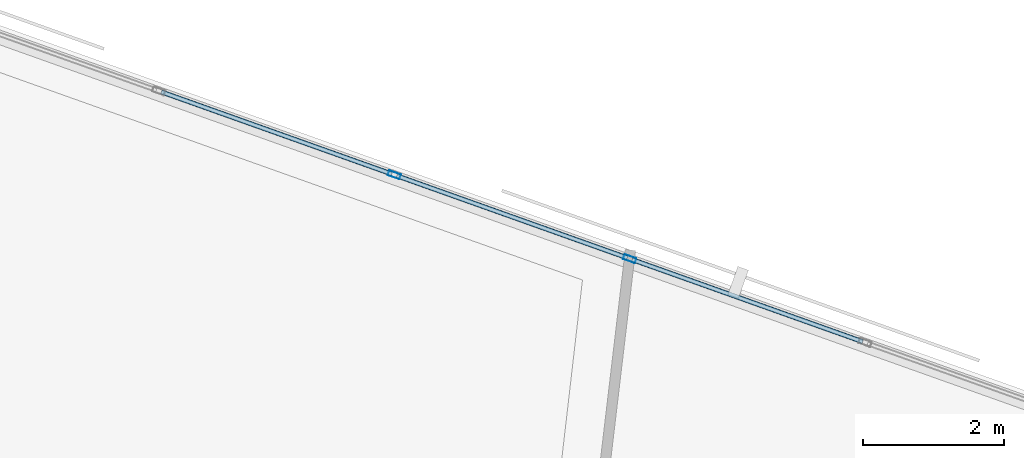
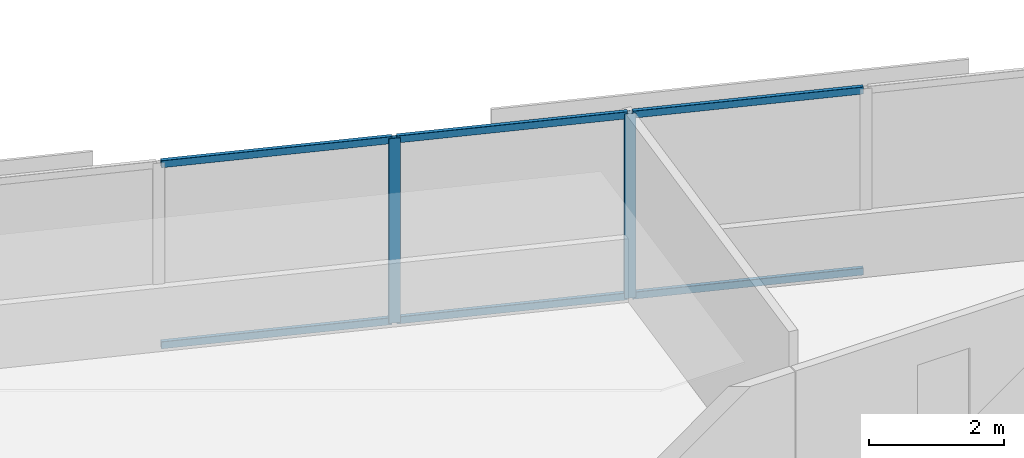
# One storey, part 8 of 16: 8 members, 1 element without a shape of its own.
"""IFC4 building model written with IfcOpenShell, lengths in metres."""

import ifcopenshell
import ifcopenshell.guid

model = None  # the IFC model being written
_history = None  # IfcOwnerHistory: only IFC2X3 demands one
_inside = {}  # id of a spatial element -> (the spatial element, [elements in it])
_under = {}  # id of a project, library or spatial element -> (it, [spatial elements below it])
_declared = {}  # id of a project -> (the project, [libraries it declares])
_typed = {}  # id of a type object -> (the type object, [elements of that type])
_made_of = {}  # id of a material, layer set ... -> (it, [elements and type objects made of it])


def new_model(schema):
    """Start an empty IFC model of exactly this schema.

    Asked for "IFC4X3", IfcOpenShell would pick the latest addendum, in which some entities
    have other attributes; the version numbers below select the first issue.
    IFC2X3 requires an IfcOwnerHistory on every rooted entity: one is made here for all.
    """
    global model, _history
    if schema == "IFC4X3":
        model = ifcopenshell.file(schema_version=(4, 3, 0, 0))
    else:
        model = ifcopenshell.file(schema=schema)
    _inside.clear()
    _under.clear()
    _declared.clear()
    _typed.clear()
    _made_of.clear()
    _history = None
    if model.schema == "IFC2X3":
        org = make("IfcOrganization", Name="unknown")
        user = make(
            "IfcPersonAndOrganization",
            ThePerson=make("IfcPerson", FamilyName="unknown"),
            TheOrganization=org,
        )
        app = make(
            "IfcApplication",
            ApplicationDeveloper=org,
            Version="unknown",
            ApplicationFullName="unknown",
            ApplicationIdentifier="unknown",
        )
        _history = make(
            "IfcOwnerHistory",
            OwningUser=user,
            OwningApplication=app,
            ChangeAction="ADDED",
            CreationDate=0,
        )
    return model


def make(cls, **values):
    """One entity of the class cls with the attributes given. An attribute that is None is left unset."""
    return model.create_entity(
        cls, **{name: value for name, value in values.items() if value is not None}
    )


def rooted(cls, **values):
    """An entity with a GlobalId (a new one), such as an element, a storey or a relation."""
    return make(cls, GlobalId=ifcopenshell.guid.new(), OwnerHistory=_history, **values)


def si_unit(unit_type, name, prefix=None):
    """IfcSIUnit, for example si_unit("LENGTHUNIT", "METRE", prefix="MILLI")."""
    return make("IfcSIUnit", UnitType=unit_type, Prefix=prefix, Name=name)


def assignment(units):
    """IfcUnitAssignment: the units of a project."""
    return None if units is None else make("IfcUnitAssignment", Units=units)


def point(xyz):
    """IfcCartesianPoint."""
    return None if xyz is None else make("IfcCartesianPoint", Coordinates=xyz)


def direction(xyz):
    """IfcDirection."""
    return None if xyz is None else make("IfcDirection", DirectionRatios=xyz)


def frame(location, z_axis=None, x_axis=None):
    """IfcAxis2Placement3D, a coordinate frame: its origin and axes. An axis left out is left unset."""
    return make(
        "IfcAxis2Placement3D",
        Location=point(location),
        Axis=direction(z_axis),
        RefDirection=direction(x_axis),
    )


def frame_2d(location, x_axis=None):
    """IfcAxis2Placement2D, a coordinate frame in the plane: its origin and x axis."""
    return make(
        "IfcAxis2Placement2D", Location=point(location), RefDirection=direction(x_axis)
    )


def origin():
    """The frame at (0, 0, 0) with its axes left unset."""
    return frame((0.0, 0.0, 0.0))


def origin_2d():
    """The frame at (0, 0) in the plane with its x axis left unset."""
    return frame_2d((0.0, 0.0))


def place(relative_to, where):
    """IfcLocalPlacement: puts the frame where relative to a parent placement (None: the world)."""
    return make(
        "IfcLocalPlacement", PlacementRelTo=relative_to, RelativePlacement=where
    )


def context(
    kind, dimensions, precision=None, world=None, true_north=None, identifier=None
):
    """IfcGeometricRepresentationContext, for example the 3D "Model" context."""
    return make(
        "IfcGeometricRepresentationContext",
        ContextIdentifier=identifier,
        ContextType=kind,
        CoordinateSpaceDimension=dimensions,
        Precision=precision,
        WorldCoordinateSystem=world,
        TrueNorth=true_north,
    )


def subcontext(parent, identifier, kind, view, scale=None):
    """IfcGeometricRepresentationSubContext, for example "Body" below "Model"."""
    return make(
        "IfcGeometricRepresentationSubContext",
        ContextIdentifier=identifier,
        ContextType=kind,
        ParentContext=parent,
        TargetScale=scale,
        TargetView=view,
    )


def project(units=None, contexts=None):
    """IfcProject with its units and contexts."""
    return rooted(
        "IfcProject",
        Name="project",
        RepresentationContexts=contexts,
        UnitsInContext=assignment(units),
    )


def spatial(cls, under=None, at=None, **own):
    """A site, building, storey or space (cls), placed at a placement, below another one or the project."""
    s = rooted(cls, ObjectPlacement=at, **own)
    if under is not None:
        _under.setdefault(under.id(), (under, []))[1].append(s)
    return s


def profile(cls, at=None, kind="AREA", **sizes):
    """A parametric profile (cls). Its sizes go by their IFC names, for example OverallWidth=200.0."""
    return make(cls, ProfileType=kind, Position=at, **sizes)


def hollow_rectangle(**sizes):
    """IfcRectangleHollowProfileDef."""
    return profile("IfcRectangleHollowProfileDef", **sizes)


def extrude(swept, where, along, depth):
    """IfcExtrudedAreaSolid: the profile swept, set in the frame where, extruded along a direction by depth."""
    return make(
        "IfcExtrudedAreaSolid",
        SweptArea=swept,
        Position=where,
        ExtrudedDirection=direction(along),
        Depth=depth,
    )


def shape(context_of_items, identifier, shape_type, items):
    """IfcShapeRepresentation: the items that make up one representation, for example the "Body"."""
    return make(
        "IfcShapeRepresentation",
        ContextOfItems=context_of_items,
        RepresentationIdentifier=identifier,
        RepresentationType=shape_type,
        Items=items,
    )


def material(Name=None, Category=None):
    """IfcMaterial."""
    return make("IfcMaterial", Name=Name, Category=Category)


def material_profile(
    of_material, cross_section, Name=None, Category=None, Priority=None
):
    """IfcMaterialProfile: a cross section and its material."""
    return make(
        "IfcMaterialProfile",
        Name=Name,
        Material=of_material,
        Profile=cross_section,
        Priority=Priority,
        Category=Category,
    )


def profile_set(profiles, Name=None, composite=None):
    """IfcMaterialProfileSet."""
    return make(
        "IfcMaterialProfileSet",
        Name=Name,
        MaterialProfiles=profiles,
        CompositeProfile=composite,
    )


def made_of(thing, what):
    """Note that an element or type object is made of a material, layer set ...; save() writes the relation."""
    if what is not None:
        _made_of.setdefault(what.id(), (what, []))[1].append(thing)
    return thing


def type_object(cls, material=None, **own):
    """A type object (cls), such as IfcWallType, which elements share."""
    return made_of(rooted(cls, **own), material)


def element(
    cls,
    number,
    at=None,
    inside=None,
    cuts=None,
    type_object=None,
    material=None,
    context=None,
    identifier="Body",
    shape_type=None,
    held_by="IfcProductDefinitionShape",
    body=None,
    shapes=None,
    **own,
):
    """One element of the class cls, such as IfcWall. Its Tag is "e" and its number.

    at: its placement. inside: the storey or other place that contains it. cuts: it is an
    opening in that element (IfcRelVoidsElement). A single representation is given by context,
    identifier, shape_type and body (its items); several are given by shapes. held_by: the class
    of the entity that holds the representations. save() writes the other relations.
    """
    e = rooted(cls, Tag="e%d" % number, ObjectPlacement=at, **own)
    if body is not None:
        shapes = [shape(context, identifier, shape_type, body)]
    if shapes is not None:
        e.Representation = make(held_by, Representations=shapes)
    if inside is not None:
        _inside.setdefault(inside.id(), (inside, []))[1].append(e)
    if cuts is not None:
        rooted(
            "IfcRelVoidsElement", RelatingBuildingElement=cuts, RelatedOpeningElement=e
        )
    if type_object is not None:
        _typed.setdefault(type_object.id(), (type_object, []))[1].append(e)
    return made_of(e, material)


def aggregate(whole, parts):
    """IfcRelAggregates: a whole, such as a stair, and the parts it consists of."""
    return rooted("IfcRelAggregates", RelatingObject=whole, RelatedObjects=parts)


def save(model, path):
    """Write the relations noted so far, then the file.

    IfcRelAggregates (storeys below a building ...), IfcRelContainedInSpatialStructure (elements
    in a storey), IfcRelDefinesByType, IfcRelAssociatesMaterial and IfcRelDeclares: one each for
    every whole, place, type object, material and project.
    """
    for whole, parts in _under.values():
        aggregate(whole, parts)
    for where, things in _inside.values():
        rooted(
            "IfcRelContainedInSpatialStructure",
            RelatedElements=things,
            RelatingStructure=where,
        )
    for kind, things in _typed.values():
        rooted("IfcRelDefinesByType", RelatedObjects=things, RelatingType=kind)
    for what, things in _made_of.values():
        rooted("IfcRelAssociatesMaterial", RelatedObjects=things, RelatingMaterial=what)
    for by, libraries in _declared.values():
        rooted("IfcRelDeclares", RelatingContext=by, RelatedDefinitions=libraries)
    model.write(path)


model = new_model("IFC4")

# Units and contexts
model_context = context("Model", 3, precision=1e-05, world=origin(), true_north=direction((0.0, 1.0)))
body_context = subcontext(model_context, "Body", "Model", "MODEL_VIEW")
ifc_project = project(units=[si_unit("LENGTHUNIT", "METRE"), si_unit("AREAUNIT", "SQUARE_METRE"), si_unit("VOLUMEUNIT", "CUBIC_METRE"), si_unit("PLANEANGLEUNIT", "RADIAN"), si_unit("MASSUNIT", "GRAM", prefix="KILO")], contexts=[model_context])

# Site, building, storey
site_placement = place(None, origin())
site = spatial("IfcSite", under=ifc_project, at=site_placement, CompositionType="ELEMENT")
building_placement = place(site_placement, origin())
building = spatial("IfcBuilding", under=site, at=building_placement, Name="Narakoshi Arena Tower", CompositionType="ELEMENT")
storey_placement = place(building_placement, frame((0.0, 0.0, 150.300048828125)))
storey = spatial("IfcBuildingStorey", under=building, at=storey_placement, Name="L40", CompositionType="ELEMENT", Elevation=150.300048828125)

# Curtain wall, members
ifc_material = material(Name="Anodised bronze aluminium 6063-T6", Category="aluminium")
curtain_wall_type = type_object("IfcCurtainWallType", Name="CW-HYP-MID", PredefinedType="NOTDEFINED", material=ifc_material)
curtain_wall_placement = place(storey_placement, origin())
curtain_wall = element("IfcCurtainWall", 1, at=curtain_wall_placement, inside=storey, type_object=curtain_wall_type, Name="L40 Folded Hypotenuse Curtain Wall 2-1", PredefinedType="NOTDEFINED")
ifc_material_profile_1 = material_profile(ifc_material, hollow_rectangle(XDim=0.074951171875, YDim=0.179931640625, WallThickness=0.00390625, OuterFilletRadius=0.0048828125, at=origin_2d()), Name="MUL180x75x4")
ifc_profile_set_1 = profile_set([ifc_material_profile_1], Name="Anodised bronze aluminium 6063-T6")
member_type_1 = type_object("IfcMemberType", Name="MEM-MUL-180", PredefinedType="MULLION", material=ifc_profile_set_1)
member_1_placement = place(storey_placement, frame((81.1259765625, 65.1083984375, 0.0), z_axis=(0.0, 0.0, 1.0), x_axis=(-0.335518297139, -0.94203368957, 0.0)))
member_1 = element("IfcMember", 2, at=member_1_placement, type_object=member_type_1, Name="CW-02 mullion 3", PredefinedType="MULLION", context=body_context, shape_type="SweptSolid", body=[
    extrude(hollow_rectangle(XDim=0.074951171875, YDim=0.179931640625, WallThickness=0.00390625, OuterFilletRadius=0.0048828125, at=origin_2d()), origin(), (0.0, 0.0, 1.0), 3.33984375),
])
member_2_placement = place(storey_placement, frame((77.781494140625, 66.2998046875, 0.0), z_axis=(0.0, 0.0, 1.0), x_axis=(-0.335518297139, -0.94203368957, 0.0)))
member_2 = element("IfcMember", 3, at=member_2_placement, type_object=member_type_1, Name="CW-02 mullion 4", PredefinedType="MULLION", context=body_context, shape_type="SweptSolid", body=[
    extrude(hollow_rectangle(XDim=0.074951171875, YDim=0.179931640625, WallThickness=0.00390625, OuterFilletRadius=0.0048828125, at=origin_2d()), origin(), (0.0, 0.0, 1.0), 3.33984375),
])
ifc_material_profile_2 = material_profile(ifc_material, hollow_rectangle(XDim=0.06494140625, YDim=0.1298828125, WallThickness=0.00390625, OuterFilletRadius=0.0048828125, at=origin_2d()), Name="TRN130x65x4")
ifc_profile_set_2 = profile_set([ifc_material_profile_2], Name="Anodised bronze aluminium 6063-T6")
member_type_2 = type_object("IfcMemberType", Name="MEM-TRN-130", PredefinedType="USERDEFINED", material=ifc_profile_set_2)
member_3_placement = place(storey_placement, frame((84.435302734375, 63.929931640625, 0.032470703125), z_axis=(-0.942037165195, 0.335508538477, 0.0), x_axis=(-0.335508538477, -0.942037165195, 0.0)))
member_3 = element("IfcMember", 4, at=member_3_placement, type_object=member_type_2, Name="CW-02 transom 2.1", ObjectType="TRANSOM", PredefinedType="USERDEFINED", context=body_context, shape_type="SweptSolid", body=[
    extrude(hollow_rectangle(XDim=0.06494140625, YDim=0.1298828125, WallThickness=0.00390625, OuterFilletRadius=0.0048828125, at=origin_2d()), origin(), (0.0, 0.0, 1.0), 3.475341796875),
])
member_4_placement = place(storey_placement, frame((84.435302734375, 63.929931640625, 3.307373046875), z_axis=(-0.942037165195, 0.335508538477, 0.0), x_axis=(-0.335508538477, -0.942037165195, 0.0)))
member_4 = element("IfcMember", 5, at=member_4_placement, type_object=member_type_2, Name="CW-02 transom 2.2", ObjectType="TRANSOM", PredefinedType="USERDEFINED", context=body_context, shape_type="SweptSolid", body=[
    extrude(hollow_rectangle(XDim=0.06494140625, YDim=0.1298828125, WallThickness=0.00390625, OuterFilletRadius=0.0048828125, at=origin_2d()), origin(), (0.0, 0.0, 1.0), 3.475341796875),
])
member_5_placement = place(storey_placement, frame((81.0908203125, 65.12109375, 0.032470703125), z_axis=(-0.942037165195, 0.335508538477, 0.0), x_axis=(-0.335508538477, -0.942037165195, 0.0)))
member_5 = element("IfcMember", 6, at=member_5_placement, type_object=member_type_2, Name="CW-02 transom 3.1", ObjectType="TRANSOM", PredefinedType="USERDEFINED", context=body_context, shape_type="SweptSolid", body=[
    extrude(hollow_rectangle(XDim=0.06494140625, YDim=0.1298828125, WallThickness=0.00390625, OuterFilletRadius=0.0048828125, at=origin_2d()), origin(), (0.0, 0.0, 1.0), 3.475341796875),
])
member_6_placement = place(storey_placement, frame((81.0908203125, 65.12109375, 3.307373046875), z_axis=(-0.942037165195, 0.335508538477, 0.0), x_axis=(-0.335508538477, -0.942037165195, 0.0)))
member_6 = element("IfcMember", 7, at=member_6_placement, type_object=member_type_2, Name="CW-02 transom 3.2", ObjectType="TRANSOM", PredefinedType="USERDEFINED", context=body_context, shape_type="SweptSolid", body=[
    extrude(hollow_rectangle(XDim=0.06494140625, YDim=0.1298828125, WallThickness=0.00390625, OuterFilletRadius=0.0048828125, at=origin_2d()), origin(), (0.0, 0.0, 1.0), 3.475341796875),
])
member_7_placement = place(storey_placement, frame((77.74609375, 66.312255859375, 0.032470703125), z_axis=(-0.942029256779, 0.335530742813, 0.0), x_axis=(-0.335530742813, -0.942029256779, 0.0)))
member_7 = element("IfcMember", 8, at=member_7_placement, type_object=member_type_2, Name="CW-02 transom 4.1", ObjectType="TRANSOM", PredefinedType="USERDEFINED", context=body_context, shape_type="SweptSolid", body=[
    extrude(hollow_rectangle(XDim=0.06494140625, YDim=0.1298828125, WallThickness=0.00390625, OuterFilletRadius=0.0048828125, at=origin_2d()), origin(), (0.0, 0.0, 1.0), 3.47509765625),
])
member_8_placement = place(storey_placement, frame((77.74609375, 66.312255859375, 3.307373046875), z_axis=(-0.942029256779, 0.335530742813, 0.0), x_axis=(-0.335530742813, -0.942029256779, 0.0)))
member_8 = element("IfcMember", 9, at=member_8_placement, type_object=member_type_2, Name="CW-02 transom 4.2", ObjectType="TRANSOM", PredefinedType="USERDEFINED", context=body_context, shape_type="SweptSolid", body=[
    extrude(hollow_rectangle(XDim=0.06494140625, YDim=0.1298828125, WallThickness=0.00390625, OuterFilletRadius=0.0048828125, at=origin_2d()), origin(), (0.0, 0.0, 1.0), 3.47509765625),
])
aggregate(curtain_wall, [member_1, member_2, member_3, member_4, member_5, member_6, member_7, member_8])

save(model, "model.ifc")
